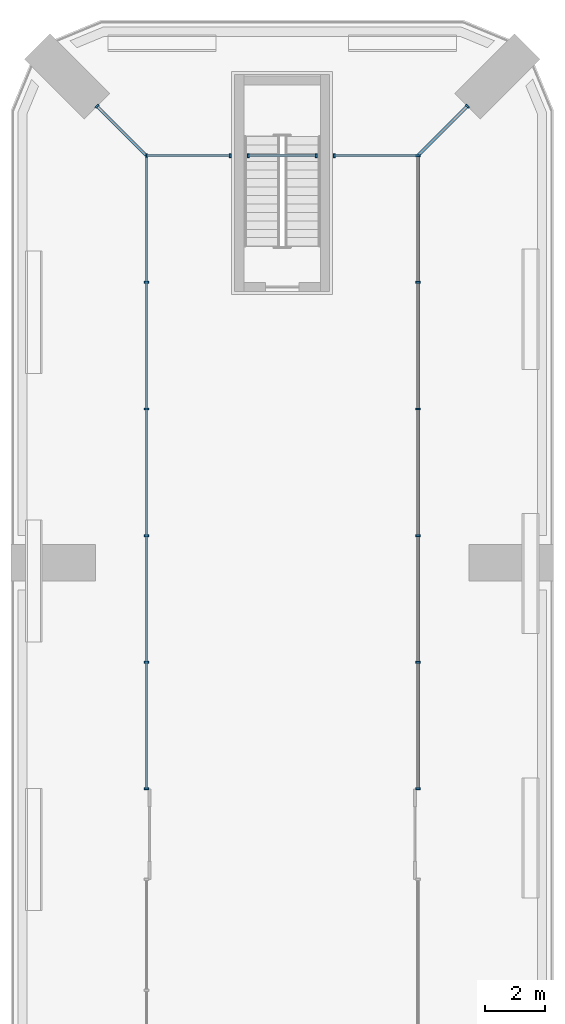
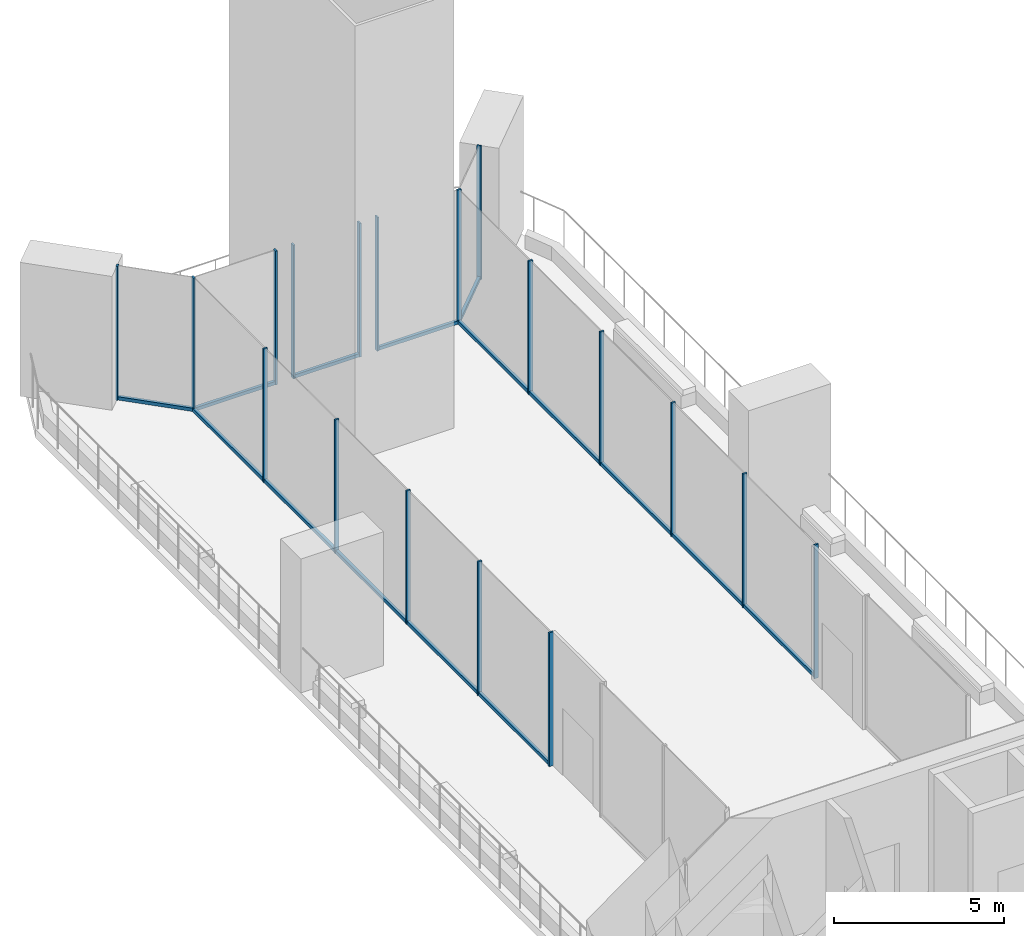
# One storey, part 9 of 23: 25 members, 7 elements without a shape of their own.
"""IFC4 building model written with IfcOpenShell, lengths in metres."""

import ifcopenshell
import ifcopenshell.guid

model = None  # the IFC model being written
_history = None  # IfcOwnerHistory: only IFC2X3 demands one
_inside = {}  # id of a spatial element -> (the spatial element, [elements in it])
_under = {}  # id of a project, library or spatial element -> (it, [spatial elements below it])
_declared = {}  # id of a project -> (the project, [libraries it declares])
_typed = {}  # id of a type object -> (the type object, [elements of that type])
_made_of = {}  # id of a material, layer set ... -> (it, [elements and type objects made of it])


def new_model(schema):
    """Start an empty IFC model of exactly this schema.

    Asked for "IFC4X3", IfcOpenShell would pick the latest addendum, in which some entities
    have other attributes; the version numbers below select the first issue.
    IFC2X3 requires an IfcOwnerHistory on every rooted entity: one is made here for all.
    """
    global model, _history
    if schema == "IFC4X3":
        model = ifcopenshell.file(schema_version=(4, 3, 0, 0))
    else:
        model = ifcopenshell.file(schema=schema)
    _inside.clear()
    _under.clear()
    _declared.clear()
    _typed.clear()
    _made_of.clear()
    _history = None
    if model.schema == "IFC2X3":
        org = make("IfcOrganization", Name="unknown")
        user = make(
            "IfcPersonAndOrganization",
            ThePerson=make("IfcPerson", FamilyName="unknown"),
            TheOrganization=org,
        )
        app = make(
            "IfcApplication",
            ApplicationDeveloper=org,
            Version="unknown",
            ApplicationFullName="unknown",
            ApplicationIdentifier="unknown",
        )
        _history = make(
            "IfcOwnerHistory",
            OwningUser=user,
            OwningApplication=app,
            ChangeAction="ADDED",
            CreationDate=0,
        )
    return model


def make(cls, **values):
    """One entity of the class cls with the attributes given. An attribute that is None is left unset."""
    return model.create_entity(
        cls, **{name: value for name, value in values.items() if value is not None}
    )


def rooted(cls, **values):
    """An entity with a GlobalId (a new one), such as an element, a storey or a relation."""
    return make(cls, GlobalId=ifcopenshell.guid.new(), OwnerHistory=_history, **values)


def si_unit(unit_type, name, prefix=None):
    """IfcSIUnit, for example si_unit("LENGTHUNIT", "METRE", prefix="MILLI")."""
    return make("IfcSIUnit", UnitType=unit_type, Prefix=prefix, Name=name)


def assignment(units):
    """IfcUnitAssignment: the units of a project."""
    return None if units is None else make("IfcUnitAssignment", Units=units)


def point(xyz):
    """IfcCartesianPoint."""
    return None if xyz is None else make("IfcCartesianPoint", Coordinates=xyz)


def direction(xyz):
    """IfcDirection."""
    return None if xyz is None else make("IfcDirection", DirectionRatios=xyz)


def frame(location, z_axis=None, x_axis=None):
    """IfcAxis2Placement3D, a coordinate frame: its origin and axes. An axis left out is left unset."""
    return make(
        "IfcAxis2Placement3D",
        Location=point(location),
        Axis=direction(z_axis),
        RefDirection=direction(x_axis),
    )


def frame_2d(location, x_axis=None):
    """IfcAxis2Placement2D, a coordinate frame in the plane: its origin and x axis."""
    return make(
        "IfcAxis2Placement2D", Location=point(location), RefDirection=direction(x_axis)
    )


def origin():
    """The frame at (0, 0, 0) with its axes left unset."""
    return frame((0.0, 0.0, 0.0))


def origin_2d():
    """The frame at (0, 0) in the plane with its x axis left unset."""
    return frame_2d((0.0, 0.0))


def place(relative_to, where):
    """IfcLocalPlacement: puts the frame where relative to a parent placement (None: the world)."""
    return make(
        "IfcLocalPlacement", PlacementRelTo=relative_to, RelativePlacement=where
    )


def context(
    kind, dimensions, precision=None, world=None, true_north=None, identifier=None
):
    """IfcGeometricRepresentationContext, for example the 3D "Model" context."""
    return make(
        "IfcGeometricRepresentationContext",
        ContextIdentifier=identifier,
        ContextType=kind,
        CoordinateSpaceDimension=dimensions,
        Precision=precision,
        WorldCoordinateSystem=world,
        TrueNorth=true_north,
    )


def subcontext(parent, identifier, kind, view, scale=None):
    """IfcGeometricRepresentationSubContext, for example "Body" below "Model"."""
    return make(
        "IfcGeometricRepresentationSubContext",
        ContextIdentifier=identifier,
        ContextType=kind,
        ParentContext=parent,
        TargetScale=scale,
        TargetView=view,
    )


def project(units=None, contexts=None):
    """IfcProject with its units and contexts."""
    return rooted(
        "IfcProject",
        Name="project",
        RepresentationContexts=contexts,
        UnitsInContext=assignment(units),
    )


def spatial(cls, under=None, at=None, **own):
    """A site, building, storey or space (cls), placed at a placement, below another one or the project."""
    s = rooted(cls, ObjectPlacement=at, **own)
    if under is not None:
        _under.setdefault(under.id(), (under, []))[1].append(s)
    return s


def profile(cls, at=None, kind="AREA", **sizes):
    """A parametric profile (cls). Its sizes go by their IFC names, for example OverallWidth=200.0."""
    return make(cls, ProfileType=kind, Position=at, **sizes)


def rectangle(**sizes):
    """IfcRectangleProfileDef."""
    return profile("IfcRectangleProfileDef", **sizes)


def extrude(swept, where, along, depth):
    """IfcExtrudedAreaSolid: the profile swept, set in the frame where, extruded along a direction by depth."""
    return make(
        "IfcExtrudedAreaSolid",
        SweptArea=swept,
        Position=where,
        ExtrudedDirection=direction(along),
        Depth=depth,
    )


def shape(context_of_items, identifier, shape_type, items):
    """IfcShapeRepresentation: the items that make up one representation, for example the "Body"."""
    return make(
        "IfcShapeRepresentation",
        ContextOfItems=context_of_items,
        RepresentationIdentifier=identifier,
        RepresentationType=shape_type,
        Items=items,
    )


def material(Name=None, Category=None):
    """IfcMaterial."""
    return make("IfcMaterial", Name=Name, Category=Category)


def layer(
    of_material, thickness, ventilated=None, Name=None, Category=None, Priority=None
):
    """IfcMaterialLayer: one layer of a wall or slab, of a material (None: an air gap)."""
    return make(
        "IfcMaterialLayer",
        Material=of_material,
        LayerThickness=thickness,
        IsVentilated=ventilated,
        Name=Name,
        Category=Category,
        Priority=Priority,
    )


def layer_set(layers, Name=None):
    """IfcMaterialLayerSet."""
    return make("IfcMaterialLayerSet", MaterialLayers=layers, LayerSetName=Name)


def material_profile(
    of_material, cross_section, Name=None, Category=None, Priority=None
):
    """IfcMaterialProfile: a cross section and its material."""
    return make(
        "IfcMaterialProfile",
        Name=Name,
        Material=of_material,
        Profile=cross_section,
        Priority=Priority,
        Category=Category,
    )


def profile_set(profiles, Name=None, composite=None):
    """IfcMaterialProfileSet."""
    return make(
        "IfcMaterialProfileSet",
        Name=Name,
        MaterialProfiles=profiles,
        CompositeProfile=composite,
    )


def made_of(thing, what):
    """Note that an element or type object is made of a material, layer set ...; save() writes the relation."""
    if what is not None:
        _made_of.setdefault(what.id(), (what, []))[1].append(thing)
    return thing


def type_object(cls, material=None, **own):
    """A type object (cls), such as IfcWallType, which elements share."""
    return made_of(rooted(cls, **own), material)


def element(
    cls,
    number,
    at=None,
    inside=None,
    cuts=None,
    type_object=None,
    material=None,
    context=None,
    identifier="Body",
    shape_type=None,
    held_by="IfcProductDefinitionShape",
    body=None,
    shapes=None,
    **own,
):
    """One element of the class cls, such as IfcWall. Its Tag is "e" and its number.

    at: its placement. inside: the storey or other place that contains it. cuts: it is an
    opening in that element (IfcRelVoidsElement). A single representation is given by context,
    identifier, shape_type and body (its items); several are given by shapes. held_by: the class
    of the entity that holds the representations. save() writes the other relations.
    """
    e = rooted(cls, Tag="e%d" % number, ObjectPlacement=at, **own)
    if body is not None:
        shapes = [shape(context, identifier, shape_type, body)]
    if shapes is not None:
        e.Representation = make(held_by, Representations=shapes)
    if inside is not None:
        _inside.setdefault(inside.id(), (inside, []))[1].append(e)
    if cuts is not None:
        rooted(
            "IfcRelVoidsElement", RelatingBuildingElement=cuts, RelatedOpeningElement=e
        )
    if type_object is not None:
        _typed.setdefault(type_object.id(), (type_object, []))[1].append(e)
    return made_of(e, material)


def aggregate(whole, parts):
    """IfcRelAggregates: a whole, such as a stair, and the parts it consists of."""
    return rooted("IfcRelAggregates", RelatingObject=whole, RelatedObjects=parts)


def save(model, path):
    """Write the relations noted so far, then the file.

    IfcRelAggregates (storeys below a building ...), IfcRelContainedInSpatialStructure (elements
    in a storey), IfcRelDefinesByType, IfcRelAssociatesMaterial and IfcRelDeclares: one each for
    every whole, place, type object, material and project.
    """
    for whole, parts in _under.values():
        aggregate(whole, parts)
    for where, things in _inside.values():
        rooted(
            "IfcRelContainedInSpatialStructure",
            RelatedElements=things,
            RelatingStructure=where,
        )
    for kind, things in _typed.values():
        rooted("IfcRelDefinesByType", RelatedObjects=things, RelatingType=kind)
    for what, things in _made_of.values():
        rooted("IfcRelAssociatesMaterial", RelatedObjects=things, RelatingMaterial=what)
    for by, libraries in _declared.values():
        rooted("IfcRelDeclares", RelatingContext=by, RelatedDefinitions=libraries)
    model.write(path)


model = new_model("IFC4")

# Units and contexts
model_context = context("Model", 3, precision=1e-05, world=origin(), true_north=direction((0.0, 1.0)))
body_context = subcontext(model_context, "Body", "Model", "MODEL_VIEW")
ifc_project = project(units=[si_unit("LENGTHUNIT", "METRE"), si_unit("AREAUNIT", "SQUARE_METRE"), si_unit("VOLUMEUNIT", "CUBIC_METRE"), si_unit("PLANEANGLEUNIT", "RADIAN"), si_unit("MASSUNIT", "GRAM", prefix="KILO")], contexts=[model_context])

# Site, building, storey
site_placement = place(None, origin())
site = spatial("IfcSite", under=ifc_project, at=site_placement, CompositionType="ELEMENT")
building_placement = place(site_placement, origin())
building = spatial("IfcBuilding", under=site, at=building_placement, Name="Plateau Cross Towers", CompositionType="ELEMENT")
storey_placement = place(building_placement, frame((0.0, 0.0, 123.800048828125)))
storey = spatial("IfcBuildingStorey", under=building, at=storey_placement, Name="L32", CompositionType="ELEMENT", Elevation=123.800048828125)

# Curtain wall, members
ifc_material_1 = material(Name="Dark low-iron glass", Category="glass")
ifc_layer = layer(ifc_material_1, 0.239990234375)
ifc_layer_set = layer_set([ifc_layer], Name="Dark low-iron glass")
curtain_wall_type = type_object("IfcCurtainWallType", Name="Curtain wall flush unitised CW-B", PredefinedType="NOTDEFINED", material=ifc_layer_set)
curtain_wall_1_placement = place(storey_placement, origin())
curtain_wall_1 = element("IfcCurtainWall", 1, at=curtain_wall_1_placement, inside=storey, type_object=curtain_wall_type, Name="ENV/A/L32/sky45_495_73_495", PredefinedType="NOTDEFINED")
ifc_material_2 = material(Name="Black anodised aluminium", Category="aluminium")
ifc_material_profile_1 = material_profile(ifc_material_2, rectangle(XDim=0.06005859375, YDim=0.139892578125, at=origin_2d()), Name="MULLION 60x140")
ifc_profile_set_1 = profile_set([ifc_material_profile_1], Name="Black anodised aluminium")
member_type_1 = type_object("IfcMemberType", Name="Mullion 60x140 flush unitised", PredefinedType="MULLION", material=ifc_profile_set_1)
member_1_placement = place(storey_placement, frame((4.5, 49.5, 0.0), z_axis=(0.0, 0.0, 1.0), x_axis=(1.0, 0.0, 0.0)))
member_1 = element("IfcMember", 2, at=member_1_placement, type_object=member_type_1, Name="CW-B mullion 1", PredefinedType="MULLION", context=body_context, shape_type="SweptSolid", body=[
    extrude(rectangle(XDim=0.06005859375, YDim=0.139892578125, at=origin_2d()), origin(), (0.0, 0.0, 1.0), 4.800048828125),
])
member_2_placement = place(storey_placement, frame((7.27490234375, 49.5, 0.0), z_axis=(0.0, 0.0, 1.0), x_axis=(1.0, 0.0, 0.0)))
member_2 = element("IfcMember", 3, at=member_2_placement, type_object=member_type_1, Name="CW-B mullion 2", PredefinedType="MULLION", context=body_context, shape_type="SweptSolid", body=[
    extrude(rectangle(XDim=0.06005859375, YDim=0.139892578125, at=origin_2d()), origin(), (0.0, 0.0, 1.0), 4.800048828125),
])

curtain_wall_2_placement = place(storey_placement, origin())
curtain_wall_2 = element("IfcCurtainWall", 4, at=curtain_wall_2_placement, inside=storey, type_object=curtain_wall_type, Name="ENV/A/L32/sky79_495_101_495", PredefinedType="NOTDEFINED")
member_3_placement = place(storey_placement, frame((7.875, 49.5, 0.0), z_axis=(0.0, 0.0, 1.0), x_axis=(1.0, 0.0, 0.0)))
member_3 = element("IfcMember", 5, at=member_3_placement, type_object=member_type_1, Name="CW-B mullion 1", PredefinedType="MULLION", context=body_context, shape_type="SweptSolid", body=[
    extrude(rectangle(XDim=0.06005859375, YDim=0.139892578125, at=origin_2d()), origin(), (0.0, 0.0, 1.0), 4.800048828125),
])
member_4_placement = place(storey_placement, frame((10.125, 49.5, 0.0), z_axis=(0.0, 0.0, 1.0), x_axis=(1.0, 0.0, 0.0)))
member_4 = element("IfcMember", 6, at=member_4_placement, type_object=member_type_1, Name="CW-B mullion 2", PredefinedType="MULLION", context=body_context, shape_type="SweptSolid", body=[
    extrude(rectangle(XDim=0.06005859375, YDim=0.139892578125, at=origin_2d()), origin(), (0.0, 0.0, 1.0), 4.800048828125),
])

# Curtain wall, member
curtain_wall_3_placement = place(storey_placement, origin())
curtain_wall_3 = element("IfcCurtainWall", 7, at=curtain_wall_3_placement, inside=storey, type_object=curtain_wall_type, Name="ENV/A/L32/sky107_495_135_495", PredefinedType="NOTDEFINED")
member_5_placement = place(storey_placement, frame((10.72509765625, 49.5, 0.0), z_axis=(0.0, 0.0, 1.0), x_axis=(1.0, 0.0, 0.0)))
member_5 = element("IfcMember", 8, at=member_5_placement, type_object=member_type_1, Name="CW-B mullion 1", PredefinedType="MULLION", context=body_context, shape_type="SweptSolid", body=[
    extrude(rectangle(XDim=0.06005859375, YDim=0.139892578125, at=origin_2d()), origin(), (0.0, 0.0, 1.0), 4.800048828125),
])

# Curtain wall, members
curtain_wall_4_placement = place(storey_placement, origin())
curtain_wall_4 = element("IfcCurtainWall", 9, at=curtain_wall_4_placement, inside=storey, type_object=curtain_wall_type, Name="ENV/A/L32/sky135_495_135_285", PredefinedType="NOTDEFINED")
member_6_placement = place(storey_placement, frame((13.5, 49.5, 0.0), z_axis=(0.0, 0.0, 1.0), x_axis=(0.0, -1.0, 0.0)))
member_6 = element("IfcMember", 10, at=member_6_placement, type_object=member_type_1, Name="CW-B mullion 1", PredefinedType="MULLION", context=body_context, shape_type="SweptSolid", body=[
    extrude(rectangle(XDim=0.06005859375, YDim=0.139892578125, at=origin_2d()), origin(), (0.0, 0.0, 1.0), 4.800048828125),
])
member_7_placement = place(storey_placement, frame((13.5, 45.300048828125, 0.0), z_axis=(0.0, 0.0, 1.0), x_axis=(0.0, -1.0, 0.0)))
member_7 = element("IfcMember", 11, at=member_7_placement, type_object=member_type_1, Name="CW-B mullion 2", PredefinedType="MULLION", context=body_context, shape_type="SweptSolid", body=[
    extrude(rectangle(XDim=0.06005859375, YDim=0.139892578125, at=origin_2d()), origin(), (0.0, 0.0, 1.0), 4.800048828125),
])
member_8_placement = place(storey_placement, frame((13.5, 41.10009765625, 0.0), z_axis=(0.0, 0.0, 1.0), x_axis=(0.0, -1.0, 0.0)))
member_8 = element("IfcMember", 12, at=member_8_placement, type_object=member_type_1, Name="CW-B mullion 3", PredefinedType="MULLION", context=body_context, shape_type="SweptSolid", body=[
    extrude(rectangle(XDim=0.06005859375, YDim=0.139892578125, at=origin_2d()), origin(), (0.0, 0.0, 1.0), 4.800048828125),
])
member_9_placement = place(storey_placement, frame((13.5, 36.89990234375, 0.0), z_axis=(0.0, 0.0, 1.0), x_axis=(0.0, -1.0, 0.0)))
member_9 = element("IfcMember", 13, at=member_9_placement, type_object=member_type_1, Name="CW-B mullion 4", PredefinedType="MULLION", context=body_context, shape_type="SweptSolid", body=[
    extrude(rectangle(XDim=0.06005859375, YDim=0.139892578125, at=origin_2d()), origin(), (0.0, 0.0, 1.0), 4.800048828125),
])
member_10_placement = place(storey_placement, frame((13.5, 32.699951171875, 0.0), z_axis=(0.0, 0.0, 1.0), x_axis=(0.0, -1.0, 0.0)))
member_10 = element("IfcMember", 14, at=member_10_placement, type_object=member_type_1, Name="CW-B mullion 5", PredefinedType="MULLION", context=body_context, shape_type="SweptSolid", body=[
    extrude(rectangle(XDim=0.06005859375, YDim=0.139892578125, at=origin_2d()), origin(), (0.0, 0.0, 1.0), 4.800048828125),
])
member_11_placement = place(storey_placement, frame((13.5, 28.5, 0.0), z_axis=(0.0, 0.0, 1.0), x_axis=(0.0, -1.0, 0.0)))
member_11 = element("IfcMember", 15, at=member_11_placement, type_object=member_type_1, Name="CW-B mullion 6", PredefinedType="MULLION", context=body_context, shape_type="SweptSolid", body=[
    extrude(rectangle(XDim=0.06005859375, YDim=0.139892578125, at=origin_2d()), origin(), (0.0, 0.0, 1.0), 4.800048828125),
])

curtain_wall_5_placement = place(storey_placement, origin())
curtain_wall_5 = element("IfcCurtainWall", 16, at=curtain_wall_5_placement, inside=storey, type_object=curtain_wall_type, Name="ENV/A/L32/sky45_285_45_495", PredefinedType="NOTDEFINED")
member_12_placement = place(storey_placement, frame((4.5, 28.5, 0.0), z_axis=(0.0, 0.0, 1.0), x_axis=(0.0, 1.0, 0.0)))
member_12 = element("IfcMember", 17, at=member_12_placement, type_object=member_type_1, Name="CW-B mullion 1", PredefinedType="MULLION", context=body_context, shape_type="SweptSolid", body=[
    extrude(rectangle(XDim=0.06005859375, YDim=0.139892578125, at=origin_2d()), origin(), (0.0, 0.0, 1.0), 4.800048828125),
])
member_13_placement = place(storey_placement, frame((4.5, 32.699951171875, 0.0), z_axis=(0.0, 0.0, 1.0), x_axis=(0.0, 1.0, 0.0)))
member_13 = element("IfcMember", 18, at=member_13_placement, type_object=member_type_1, Name="CW-B mullion 2", PredefinedType="MULLION", context=body_context, shape_type="SweptSolid", body=[
    extrude(rectangle(XDim=0.06005859375, YDim=0.139892578125, at=origin_2d()), origin(), (0.0, 0.0, 1.0), 4.800048828125),
])
member_14_placement = place(storey_placement, frame((4.5, 36.89990234375, 0.0), z_axis=(0.0, 0.0, 1.0), x_axis=(0.0, 1.0, 0.0)))
member_14 = element("IfcMember", 19, at=member_14_placement, type_object=member_type_1, Name="CW-B mullion 3", PredefinedType="MULLION", context=body_context, shape_type="SweptSolid", body=[
    extrude(rectangle(XDim=0.06005859375, YDim=0.139892578125, at=origin_2d()), origin(), (0.0, 0.0, 1.0), 4.800048828125),
])
member_15_placement = place(storey_placement, frame((4.5, 41.10009765625, 0.0), z_axis=(0.0, 0.0, 1.0), x_axis=(0.0, 1.0, 0.0)))
member_15 = element("IfcMember", 20, at=member_15_placement, type_object=member_type_1, Name="CW-B mullion 4", PredefinedType="MULLION", context=body_context, shape_type="SweptSolid", body=[
    extrude(rectangle(XDim=0.06005859375, YDim=0.139892578125, at=origin_2d()), origin(), (0.0, 0.0, 1.0), 4.800048828125),
])
member_16_placement = place(storey_placement, frame((4.5, 45.300048828125, 0.0), z_axis=(0.0, 0.0, 1.0), x_axis=(0.0, 1.0, 0.0)))
member_16 = element("IfcMember", 21, at=member_16_placement, type_object=member_type_1, Name="CW-B mullion 5", PredefinedType="MULLION", context=body_context, shape_type="SweptSolid", body=[
    extrude(rectangle(XDim=0.06005859375, YDim=0.139892578125, at=origin_2d()), origin(), (0.0, 0.0, 1.0), 4.800048828125),
])

# Curtain wall, member
curtain_wall_6_placement = place(storey_placement, origin())
curtain_wall_6 = element("IfcCurtainWall", 22, at=curtain_wall_6_placement, inside=storey, type_object=curtain_wall_type, Name="ENV/A/L32/sky151_511_135_495", PredefinedType="NOTDEFINED")
member_17_placement = place(storey_placement, frame((15.141357421875, 51.141357421875, 0.0), z_axis=(0.0, 0.0, 1.0), x_axis=(-0.707106781187, -0.707106781187, 0.0)))
member_17 = element("IfcMember", 23, at=member_17_placement, type_object=member_type_1, Name="CW-B mullion 1", PredefinedType="MULLION", context=body_context, shape_type="SweptSolid", body=[
    extrude(rectangle(XDim=0.06005859375, YDim=0.139892578125, at=origin_2d()), origin(), (0.0, 0.0, 1.0), 4.800048828125),
])

curtain_wall_7_placement = place(storey_placement, origin())
curtain_wall_7 = element("IfcCurtainWall", 24, at=curtain_wall_7_placement, inside=storey, type_object=curtain_wall_type, Name="ENV/A/L32/sky29_511_45_495", PredefinedType="NOTDEFINED")
member_18_placement = place(storey_placement, frame((2.858642578125, 51.141357421875, 0.0), z_axis=(0.0, 0.0, 1.0), x_axis=(0.707106781187, -0.707106781187, 0.0)))
member_18 = element("IfcMember", 25, at=member_18_placement, type_object=member_type_1, Name="CW-B mullion 1", PredefinedType="MULLION", context=body_context, shape_type="SweptSolid", body=[
    extrude(rectangle(XDim=0.06005859375, YDim=0.139892578125, at=origin_2d()), origin(), (0.0, 0.0, 1.0), 4.800048828125),
])

# Member
ifc_material_profile_2 = material_profile(ifc_material_2, rectangle(XDim=0.10009765625, YDim=0.1201171875, at=origin_2d()), Name="TRANSOM 100x120")
ifc_profile_set_2 = profile_set([ifc_material_profile_2], Name="Black anodised aluminium")
member_type_2 = type_object("IfcMemberType", Name="Transom 100x120 flush unitised", PredefinedType="USERDEFINED", material=ifc_profile_set_2)
member_19_placement = place(storey_placement, frame((4.5, 49.5, 0.06005859375), z_axis=(1.0, 0.0, 0.0), x_axis=(0.0, 1.0, 0.0)))
member_19 = element("IfcMember", 26, at=member_19_placement, type_object=member_type_2, Name="CW-B transom", ObjectType="TRANSOM", PredefinedType="USERDEFINED", context=body_context, shape_type="SweptSolid", body=[
    extrude(rectangle(XDim=0.10009765625, YDim=0.1201171875, at=origin_2d()), origin(), (0.0, 0.0, 1.0), 2.77490234375),
])

aggregate(curtain_wall_1, [member_1, member_2, member_19])

member_20_placement = place(storey_placement, frame((7.875, 49.5, 0.06005859375), z_axis=(1.0, 0.0, 0.0), x_axis=(0.0, 1.0, 0.0)))
member_20 = element("IfcMember", 27, at=member_20_placement, type_object=member_type_2, Name="CW-B transom", ObjectType="TRANSOM", PredefinedType="USERDEFINED", context=body_context, shape_type="SweptSolid", body=[
    extrude(rectangle(XDim=0.10009765625, YDim=0.1201171875, at=origin_2d()), origin(), (0.0, 0.0, 1.0), 2.25),
])

aggregate(curtain_wall_2, [member_3, member_4, member_20])

member_21_placement = place(storey_placement, frame((10.72509765625, 49.5, 0.06005859375), z_axis=(1.0, 0.0, 0.0), x_axis=(0.0, 1.0, 0.0)))
member_21 = element("IfcMember", 28, at=member_21_placement, type_object=member_type_2, Name="CW-B transom", ObjectType="TRANSOM", PredefinedType="USERDEFINED", context=body_context, shape_type="SweptSolid", body=[
    extrude(rectangle(XDim=0.10009765625, YDim=0.1201171875, at=origin_2d()), origin(), (0.0, 0.0, 1.0), 2.77490234375),
])

aggregate(curtain_wall_3, [member_5, member_21])

member_22_placement = place(storey_placement, frame((13.5, 49.5, 0.06005859375), z_axis=(0.0, -1.0, 0.0), x_axis=(1.0, 0.0, 0.0)))
member_22 = element("IfcMember", 29, at=member_22_placement, type_object=member_type_2, Name="CW-B transom", ObjectType="TRANSOM", PredefinedType="USERDEFINED", context=body_context, shape_type="SweptSolid", body=[
    extrude(rectangle(XDim=0.10009765625, YDim=0.1201171875, at=origin_2d()), origin(), (0.0, 0.0, 1.0), 21.0),
])

aggregate(curtain_wall_4, [member_6, member_7, member_8, member_9, member_10, member_11, member_22])

member_23_placement = place(storey_placement, frame((4.5, 28.5, 0.06005859375), z_axis=(0.0, 1.0, 0.0), x_axis=(-1.0, 0.0, 0.0)))
member_23 = element("IfcMember", 30, at=member_23_placement, type_object=member_type_2, Name="CW-B transom", ObjectType="TRANSOM", PredefinedType="USERDEFINED", context=body_context, shape_type="SweptSolid", body=[
    extrude(rectangle(XDim=0.10009765625, YDim=0.1201171875, at=origin_2d()), origin(), (0.0, 0.0, 1.0), 21.0),
])

aggregate(curtain_wall_5, [member_12, member_13, member_14, member_15, member_16, member_23])

member_24_placement = place(storey_placement, frame((15.141357421875, 51.141357421875, 0.06005859375), z_axis=(-0.707106781187, -0.707106781187, 0.0), x_axis=(0.707106781187, -0.707106781187, 0.0)))
member_24 = element("IfcMember", 31, at=member_24_placement, type_object=member_type_2, Name="CW-B transom", ObjectType="TRANSOM", PredefinedType="USERDEFINED", context=body_context, shape_type="SweptSolid", body=[
    extrude(rectangle(XDim=0.10009765625, YDim=0.1201171875, at=origin_2d()), origin(), (0.0, 0.0, 1.0), 2.3212890625),
])

aggregate(curtain_wall_6, [member_17, member_24])

member_25_placement = place(storey_placement, frame((2.858642578125, 51.141357421875, 0.06005859375), z_axis=(0.707106781187, -0.707106781187, 0.0), x_axis=(0.707106781187, 0.707106781187, 0.0)))
member_25 = element("IfcMember", 32, at=member_25_placement, type_object=member_type_2, Name="CW-B transom", ObjectType="TRANSOM", PredefinedType="USERDEFINED", context=body_context, shape_type="SweptSolid", body=[
    extrude(rectangle(XDim=0.10009765625, YDim=0.1201171875, at=origin_2d()), origin(), (0.0, 0.0, 1.0), 2.3212890625),
])

aggregate(curtain_wall_7, [member_18, member_25])

save(model, "model.ifc")
